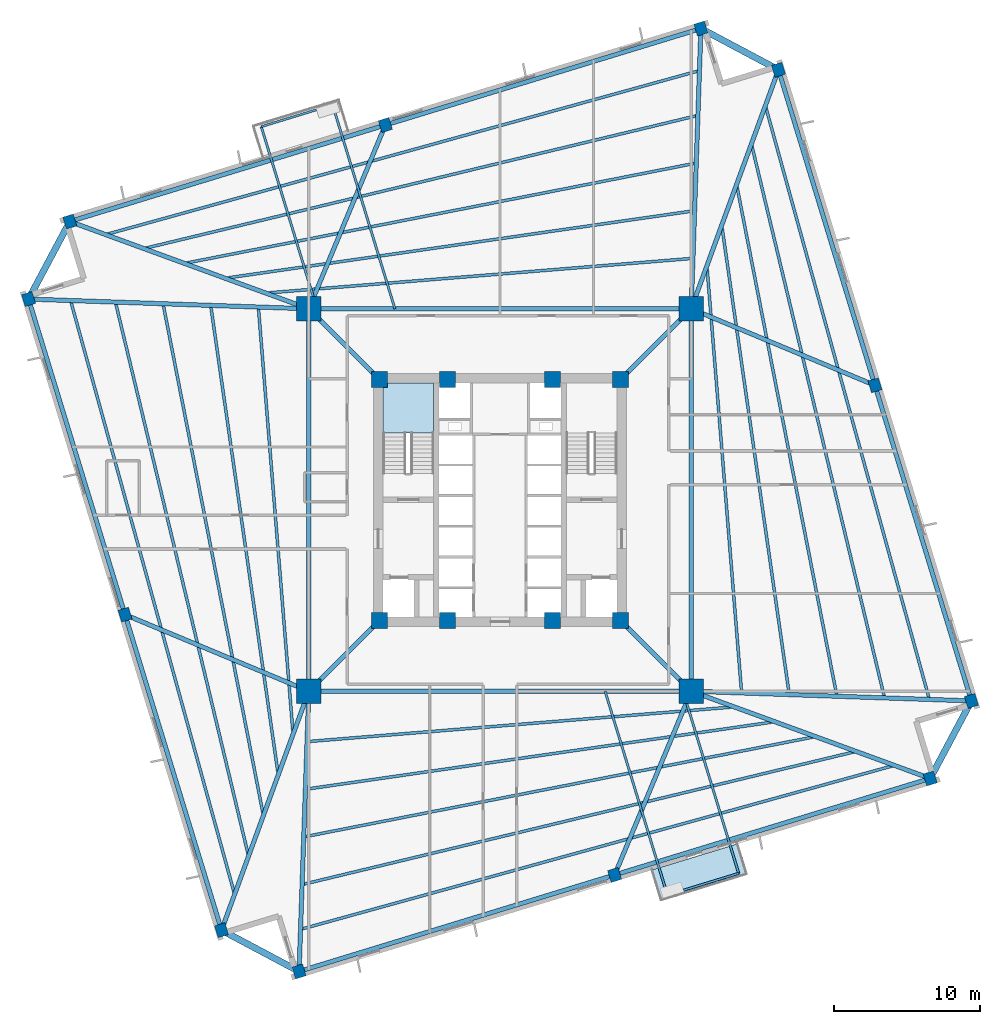
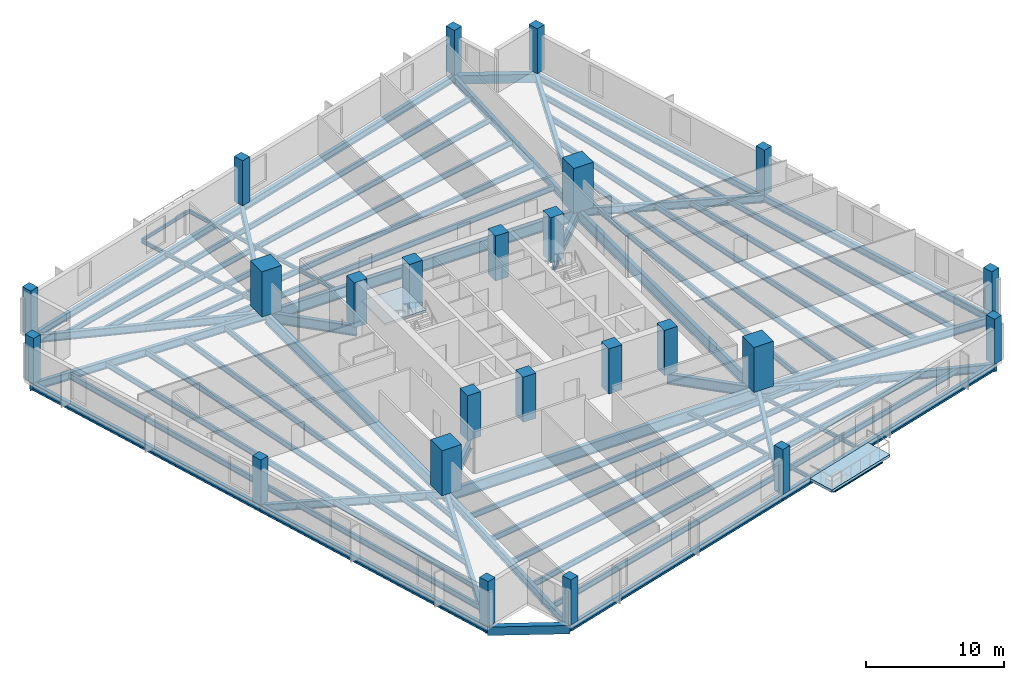
# One storey, part 1 of 8: 58 beams, 24 columns, 2 slabs, 1 element without a shape of its own.
"""IFC4 building model written with IfcOpenShell, lengths in metres."""

from ifc_helpers import new_model, si_unit, direction, frame, origin, origin_2d, place, context, subcontext, project, spatial, polyline, rectangle, i_section, outline, extrude, source, transform, mapped, material, layer, layer_set, material_profile, profile_set, type_object, element, aggregate, save


model = new_model("IFC4")

# Units and contexts
model_context = context("Model", 3, precision=1e-05, world=origin(), true_north=direction((0.0, 1.0)))
body_context = subcontext(model_context, "Body", "Model", "MODEL_VIEW")
ifc_project = project(units=[si_unit("LENGTHUNIT", "METRE"), si_unit("AREAUNIT", "SQUARE_METRE"), si_unit("VOLUMEUNIT", "CUBIC_METRE"), si_unit("PLANEANGLEUNIT", "RADIAN"), si_unit("MASSUNIT", "GRAM", prefix="KILO"), si_unit("THERMODYNAMICTEMPERATUREUNIT", "KELVIN")], contexts=[model_context])

# Site, building, storey
site_placement = place(None, origin())
site = spatial("IfcSite", under=ifc_project, at=site_placement, CompositionType="ELEMENT")
building_placement = place(site_placement, origin())
building = spatial("IfcBuilding", under=site, at=building_placement, Name="Kosmvard Interchange Tower", CompositionType="ELEMENT")
storey_placement = place(building_placement, frame((0.0, 0.0, 123.199951171875)))
storey = spatial("IfcBuildingStorey", under=building, at=storey_placement, Name="L29", CompositionType="ELEMENT", Elevation=123.199951171875)

# Columns
ifc_material_1 = material(Name="Concrete C80/95", Category="concrete")
ifc_material_profile_1 = material_profile(ifc_material_1, rectangle(XDim=1.10009765625, YDim=1.10009765625, at=origin_2d()), Name="CP 1100x1100")
ifc_profile_set_1 = profile_set([ifc_material_profile_1], Name="Concrete C80/95")
column_type_1 = type_object("IfcColumnType", Name="Core Boundary Pilaster 1100x1100 C80/95", PredefinedType="PILASTER", material=ifc_profile_set_1)
shared_shape_1 = source(origin(), body_context, "Body", "SweptSolid", [
    extrude(rectangle(XDim=1.10009765625, YDim=1.10009765625, at=origin_2d()), origin(), (0.0, 0.0, 1.0), 4.0),
])
for number, where, z_axis, x_axis, name in (
    (1, (-8.25, -8.25, 0.0), (0.0, 0.0, 1.0), (1.0, 0.0, 0.0), "L29 Core Pilaster CP1"),
    (2, (8.25, -8.25, 0.0), (0.0, 0.0, 1.0), (1.0, 0.0, 0.0), "L29 Core Pilaster CP2"),
    (3, (8.25, 8.25, 0.0), (0.0, 0.0, 1.0), (1.0, 0.0, 0.0), "L29 Core Pilaster CP3"),
    (4, (-8.25, 8.25, 0.0), (0.0, 0.0, 1.0), (1.0, 0.0, 0.0), "L29 Core Pilaster CP4"),
    (5, (-3.60009765625, -8.25, 0.0), (0.0, 0.0, 1.0), (1.0, 0.0, 0.0), "L29 Core Pilaster CP5"),
    (6, (3.60009765625, -8.25, 0.0), (0.0, 0.0, 1.0), (1.0, 0.0, 0.0), "L29 Core Pilaster CP6"),
    (7, (-3.60009765625, 8.25, 0.0), (0.0, 0.0, 1.0), (1.0, 0.0, 0.0), "L29 Core Pilaster CP7"),
    (8, (3.60009765625, 8.25, 0.0), (0.0, 0.0, 1.0), (1.0, 0.0, 0.0), "L29 Core Pilaster CP8"),
):
    element("IfcColumn", number, at=place(storey_placement, frame(where, z_axis=z_axis, x_axis=x_axis)), inside=storey, type_object=column_type_1, Name=name, PredefinedType="PILASTER", context=body_context, shape_type="MappedRepresentation", body=[
        mapped(shared_shape_1, transform((0.0, 0.0, 0.0), scale=1.0)),
    ])
ifc_material_2 = material(Name="Concrete C70/85", Category="concrete")
ifc_material_profile_2 = material_profile(ifc_material_2, rectangle(XDim=1.64990234375, YDim=1.64990234375, at=origin_2d()), Name="MC 1650x1650")
ifc_profile_set_2 = profile_set([ifc_material_profile_2], Name="Concrete C70/85")
column_type_2 = type_object("IfcColumnType", Name="Composite Mega-Column 1650x1650 C70/85", PredefinedType="COLUMN", material=ifc_profile_set_2)
shared_shape_2 = source(origin(), body_context, "Body", "SweptSolid", [
    extrude(rectangle(XDim=1.64990234375, YDim=1.64990234375, at=origin_2d()), origin(), (0.0, 0.0, 1.0), 4.0),
])
for number, where, z_axis, x_axis, name in (
    (9, (-13.0810546875, -13.0810546875, 0.0), (0.0, 0.0, 1.0), (1.0, 0.0, 0.0), "L29 Corner Mega-Column MC1"),
    (10, (13.0810546875, -13.0810546875, 0.0), (0.0, 0.0, 1.0), (1.0, 0.0, 0.0), "L29 Corner Mega-Column MC2"),
    (11, (13.0810546875, 13.0810546875, 0.0), (0.0, 0.0, 1.0), (1.0, 0.0, 0.0), "L29 Corner Mega-Column MC3"),
    (12, (-13.0810546875, 13.0810546875, 0.0), (0.0, 0.0, 1.0), (1.0, 0.0, 0.0), "L29 Corner Mega-Column MC4"),
):
    element("IfcColumn", number, at=place(storey_placement, frame(where, z_axis=z_axis, x_axis=x_axis)), inside=storey, type_object=column_type_2, Name=name, PredefinedType="COLUMN", context=body_context, shape_type="MappedRepresentation", body=[
        mapped(shared_shape_2, transform((0.0, 0.0, 0.0), scale=1.0)),
    ])
ifc_material_3 = material(Name="Concrete C60/75", Category="concrete")
ifc_material_profile_3 = material_profile(ifc_material_3, rectangle(XDim=0.75, YDim=0.85009765625, at=origin_2d()), Name="TC 850x750")
ifc_profile_set_3 = profile_set([ifc_material_profile_3], Name="Concrete C60/75")
column_type_3 = type_object("IfcColumnType", Name="Zone 2 Perimeter Pier Column 850x750 C60/75", PredefinedType="COLUMN", material=ifc_profile_set_3)
shared_shape_3 = source(origin(), body_context, "Body", "SweptSolid", [
    extrude(rectangle(XDim=0.75, YDim=0.85009765625, at=origin_2d()), origin(), (0.0, 0.0, 1.0), 4.0),
])
for number, where, z_axis, x_axis, name in (
    (13, (-13.74560546875, -32.253173828125, 0.0), (0.0, 0.0, 1.0), (0.956304755963, 0.292371704723, 0.0), "L29 Perimeter Pier Column TC-S1"),
    (14, (7.8427734375, -25.65283203125, 0.0), (0.0, 0.0, 1.0), (0.956304755963, 0.292371704723, 0.0), "L29 Perimeter Pier Column TC-S2"),
    (15, (29.431396484375, -19.052490234375, 0.0), (0.0, 0.0, 1.0), (0.956304755963, 0.292371704723, 0.0), "L29 Perimeter Pier Column TC-S3"),
    (16, (32.253173828125, -13.74560546875, 0.0), (0.0, 0.0, 1.0), (0.956304755963, 0.292371704723, 0.0), "L29 Perimeter Pier Column TC-E1"),
    (17, (25.65283203125, 7.8427734375, 0.0), (0.0, 0.0, 1.0), (0.956304755963, 0.292371704723, 0.0), "L29 Perimeter Pier Column TC-E2"),
    (18, (19.052490234375, 29.431396484375, 0.0), (0.0, 0.0, 1.0), (0.956304755963, 0.292371704723, 0.0), "L29 Perimeter Pier Column TC-E3"),
    (19, (13.74560546875, 32.253173828125, 0.0), (0.0, 0.0, 1.0), (0.956304755963, 0.292371704723, 0.0), "L29 Perimeter Pier Column TC-N1"),
    (20, (-7.8427734375, 25.65283203125, 0.0), (0.0, 0.0, 1.0), (0.956304755963, 0.292371704723, 0.0), "L29 Perimeter Pier Column TC-N2"),
    (21, (-29.431396484375, 19.052490234375, 0.0), (0.0, 0.0, 1.0), (0.956304755963, 0.292371704723, 0.0), "L29 Perimeter Pier Column TC-N3"),
    (22, (-32.253173828125, 13.74560546875, 0.0), (0.0, 0.0, 1.0), (0.956304755963, 0.292371704723, 0.0), "L29 Perimeter Pier Column TC-W1"),
    (23, (-25.65283203125, -7.8427734375, 0.0), (0.0, 0.0, 1.0), (0.956304755963, 0.292371704723, 0.0), "L29 Perimeter Pier Column TC-W2"),
    (24, (-19.052490234375, -29.431396484375, 0.0), (0.0, 0.0, 1.0), (0.956304755963, 0.292371704723, 0.0), "L29 Perimeter Pier Column TC-W3"),
):
    element("IfcColumn", number, at=place(storey_placement, frame(where, z_axis=z_axis, x_axis=x_axis)), inside=storey, type_object=column_type_3, Name=name, PredefinedType="COLUMN", context=body_context, shape_type="MappedRepresentation", body=[
        mapped(shared_shape_3, transform((0.0, 0.0, 0.0), scale=1.0)),
    ])

# Beams
ifc_material_4 = material(Name="Steel S460", Category="steel")
ifc_material_profile_4 = material_profile(ifc_material_4, i_section(OverallWidth=0.30810546875, OverallDepth=0.909912109375, WebThickness=0.02099609375, FlangeThickness=0.0400390625, FilletRadius=0.027099609375, at=origin_2d()), Name="HEM 900")
ifc_profile_set_4 = profile_set([ifc_material_profile_4], Name="Steel S460")
beam_type_1 = type_object("IfcBeamType", Name="Primary Mega-Frame Girder HEM 900 S460", PredefinedType="BEAM", material=ifc_profile_set_4)
shared_shape_4 = source(origin(), body_context, "Body", "SweptSolid", [
    extrude(i_section(OverallWidth=0.30810546875, OverallDepth=0.909912109375, WebThickness=0.02099609375, FlangeThickness=0.0400390625, FilletRadius=0.027099609375, at=origin_2d()), origin(), (0.0, 0.0, 1.0), 6.83203125),
])
for number, where, z_axis, x_axis, name in (
    (25, (-8.25, -8.25, -0.71484375), (-0.707106781187, -0.707106781187, 0.0), (0.707106781187, -0.707106781187, 0.0), "L29 Radial Mega-Frame Girder 1"),
    (26, (8.25, -8.25, -0.71484375), (0.707106781187, -0.707106781187, 0.0), (0.707106781187, 0.707106781187, 0.0), "L29 Radial Mega-Frame Girder 2"),
    (27, (8.25, 8.25, -0.71484375), (0.707106781187, 0.707106781187, 0.0), (-0.707106781187, 0.707106781187, 0.0), "L29 Radial Mega-Frame Girder 3"),
    (28, (-8.25, 8.25, -0.71484375), (-0.707106781187, 0.707106781187, 0.0), (-0.707106781187, -0.707106781187, 0.0), "L29 Radial Mega-Frame Girder 4"),
):
    element("IfcBeam", number, at=place(storey_placement, frame(where, z_axis=z_axis, x_axis=x_axis)), inside=storey, type_object=beam_type_1, Name=name, PredefinedType="BEAM", context=body_context, shape_type="MappedRepresentation", body=[
        mapped(shared_shape_4, transform((0.0, 0.0, 0.0), scale=1.0)),
    ])
ifc_material_profile_5 = material_profile(ifc_material_4, i_section(OverallWidth=0.30908203125, OverallDepth=1.008056640625, WebThickness=0.02099609375, FlangeThickness=0.0400390625, FilletRadius=0.030029296875, at=origin_2d()), Name="HEM 1000")
ifc_profile_set_5 = profile_set([ifc_material_profile_5], Name="Steel S460")
beam_type_2 = type_object("IfcBeamType", Name="Mega-Column Ring Girder HEM 1000 S460", PredefinedType="BEAM", material=ifc_profile_set_5)
shared_shape_5 = source(origin(), body_context, "Body", "SweptSolid", [
    extrude(i_section(OverallWidth=0.30908203125, OverallDepth=1.008056640625, WebThickness=0.02099609375, FlangeThickness=0.0400390625, FilletRadius=0.030029296875, at=origin_2d()), origin(), (0.0, 0.0, 1.0), 26.162109375),
])
for number, where, z_axis, x_axis, name in (
    (29, (-13.0810546875, -13.0810546875, -0.763916015625), (1.0, 0.0, 0.0), (0.0, 1.0, 0.0), "L29 Mega-Column Ring Girder 1"),
    (30, (13.0810546875, -13.0810546875, -0.763916015625), (0.0, 1.0, 0.0), (-1.0, 0.0, 0.0), "L29 Mega-Column Ring Girder 2"),
    (31, (13.0810546875, 13.0810546875, -0.763916015625), (-1.0, 0.0, 0.0), (0.0, -1.0, 0.0), "L29 Mega-Column Ring Girder 3"),
    (32, (-13.0810546875, 13.0810546875, -0.763916015625), (0.0, -1.0, 0.0), (1.0, 0.0, 0.0), "L29 Mega-Column Ring Girder 4"),
):
    element("IfcBeam", number, at=place(storey_placement, frame(where, z_axis=z_axis, x_axis=x_axis)), inside=storey, type_object=beam_type_2, Name=name, PredefinedType="BEAM", context=body_context, shape_type="MappedRepresentation", body=[
        mapped(shared_shape_5, transform((0.0, 0.0, 0.0), scale=1.0)),
    ])
ifc_material_5 = material(Name="Steel S355", Category="steel")
ifc_material_profile_6 = material_profile(ifc_material_5, i_section(OverallWidth=0.14990234375, OverallDepth=0.300048828125, WebThickness=0.007080078125, FlangeThickness=0.0107421875, FilletRadius=0.014892578125, at=origin_2d()), Name="IPE 300")
ifc_profile_set_6 = profile_set([ifc_material_profile_6], Name="Steel S355")
beam_type_3 = type_object("IfcBeamType", Name="Balcony Edge Header Joist IPE 300 S355", PredefinedType="JOIST", material=ifc_profile_set_6)
shared_shape_6 = source(origin(), body_context, "Body", "SweptSolid", [
    extrude(i_section(OverallWidth=0.14990234375, OverallDepth=0.300048828125, WebThickness=0.007080078125, FlangeThickness=0.0107421875, FilletRadius=0.014892578125, at=origin_2d()), origin(), (0.0, 0.0, 1.0), 5.099853515625),
])
for number, where, z_axis, x_axis, name in (
    (33, (-11.4541015625, 27.032470703125, -0.409912109375), (-0.956295066015, -0.292403397238, 0.0), (0.292403397238, -0.956295066015, 0.0), "BM-L29-BJH1"),
    (34, (11.4541015625, -27.032470703125, -0.409912109375), (0.956295066015, 0.292403397238, 0.0), (-0.292403397238, 0.956295066015, 0.0), "BM-L29-BJH2"),
):
    element("IfcBeam", number, at=place(storey_placement, frame(where, z_axis=z_axis, x_axis=x_axis)), inside=storey, type_object=beam_type_3, Name=name, PredefinedType="JOIST", context=body_context, shape_type="MappedRepresentation", body=[
        mapped(shared_shape_6, transform((0.0, 0.0, 0.0), scale=1.0)),
    ])
ifc_material_profile_7 = material_profile(ifc_material_5, i_section(OverallWidth=0.300048828125, OverallDepth=0.60009765625, WebThickness=0.015380859375, FlangeThickness=0.030029296875, FilletRadius=0.027099609375, at=origin_2d()), Name="HEB 600")
ifc_profile_set_7 = profile_set([ifc_material_profile_7], Name="Steel S355")
beam_type_4 = type_object("IfcBeamType", Name="Perimeter Tie Girder HEB 600 S355", PredefinedType="BEAM", material=ifc_profile_set_7)
shared_shape_7 = source(origin(), body_context, "Body", "SweptSolid", [
    extrude(i_section(OverallWidth=0.300048828125, OverallDepth=0.60009765625, WebThickness=0.015380859375, FlangeThickness=0.030029296875, FilletRadius=0.027099609375, at=origin_2d()), origin(), (0.0, 0.0, 1.0), 22.57470703125),
])
for number, where, z_axis, x_axis, name in (
    (35, (-13.74560546875, -32.253173828125, -0.56005859375), (0.956303368768, 0.292376241995, 0.0), (-0.292376241995, 0.956303368768, 0.0), "BM-L29-PR01"),
    (36, (32.253173828125, -13.74560546875, -0.56005859375), (-0.292376241995, 0.956303368768, 0.0), (-0.956303368768, -0.292376241995, 0.0), "BM-L29-PR04"),
    (37, (13.74560546875, 32.253173828125, -0.56005859375), (-0.956303368768, -0.292376241995, 0.0), (0.292376241995, -0.956303368768, 0.0), "BM-L29-PR07"),
    (38, (-32.253173828125, 13.74560546875, -0.56005859375), (0.292376241995, -0.956303368768, 0.0), (0.956303368768, 0.292376241995, 0.0), "BM-L29-PR10"),
):
    element("IfcBeam", number, at=place(storey_placement, frame(where, z_axis=z_axis, x_axis=x_axis)), inside=storey, type_object=beam_type_4, Name=name, PredefinedType="BEAM", context=body_context, shape_type="MappedRepresentation", body=[
        mapped(shared_shape_7, transform((0.0, 0.0, 0.0), scale=1.0)),
    ])
ifc_material_profile_8 = material_profile(ifc_material_5, i_section(OverallWidth=0.300048828125, OverallDepth=0.699951171875, WebThickness=0.01708984375, FlangeThickness=0.031982421875, FilletRadius=0.027099609375, at=origin_2d()), Name="HEB 700")
ifc_profile_set_8 = profile_set([ifc_material_profile_8], Name="Steel S355")
beam_type_5 = type_object("IfcBeamType", Name="Primary Floor Girder HEB 700 S355", PredefinedType="BEAM", material=ifc_profile_set_8)
shared_shape_8 = source(origin(), body_context, "Body", "SweptSolid", [
    extrude(i_section(OverallWidth=0.300048828125, OverallDepth=0.699951171875, WebThickness=0.01708984375, FlangeThickness=0.031982421875, FilletRadius=0.027099609375, at=origin_2d()), origin(), (0.0, 0.0, 1.0), 19.18359375),
])
for number, where, z_axis, x_axis, name in (
    (39, (-13.0810546875, -13.0810546875, -0.60986328125), (-0.034641549738, -0.999399801397, 0.0), (0.999399801397, -0.034641549738, 0.0), "BM-L29-RD01"),
    (40, (13.0810546875, -13.0810546875, -0.60986328125), (0.999399801397, -0.034641549738, 0.0), (0.034641549738, 0.999399801397, 0.0), "BM-L29-RD04"),
    (41, (13.0810546875, 13.0810546875, -0.60986328125), (0.034641549738, 0.999399801397, 0.0), (-0.999399801397, 0.034641549738, 0.0), "BM-L29-RD07"),
    (42, (-13.0810546875, 13.0810546875, -0.60986328125), (-0.999399801397, 0.034641549738, 0.0), (-0.034641549738, -0.999399801397, 0.0), "BM-L29-RD10"),
):
    element("IfcBeam", number, at=place(storey_placement, frame(where, z_axis=z_axis, x_axis=x_axis)), inside=storey, type_object=beam_type_5, Name=name, PredefinedType="BEAM", context=body_context, shape_type="MappedRepresentation", body=[
        mapped(shared_shape_8, transform((0.0, 0.0, 0.0), scale=1.0)),
    ])
shared_shape_9 = source(origin(), body_context, "Body", "SweptSolid", [
    extrude(i_section(OverallWidth=0.300048828125, OverallDepth=0.60009765625, WebThickness=0.015380859375, FlangeThickness=0.030029296875, FilletRadius=0.027099609375, at=origin_2d()), origin(), (0.0, 0.0, 1.0), 22.574951171875),
])
for number, where, z_axis, x_axis, name in (
    (43, (7.8427734375, -25.65283203125, -0.56005859375), (0.956304293239, 0.292373218222, 0.0), (-0.292373218222, 0.956304293239, 0.0), "BM-L29-PR02"),
    (44, (25.65283203125, 7.8427734375, -0.56005859375), (-0.292373218222, 0.956304293239, 0.0), (-0.956304293239, -0.292373218222, 0.0), "BM-L29-PR05"),
    (45, (-7.8427734375, 25.65283203125, -0.56005859375), (-0.956304293239, -0.292373218222, 0.0), (0.292373218222, -0.956304293239, 0.0), "BM-L29-PR08"),
    (46, (-25.65283203125, -7.8427734375, -0.56005859375), (0.292373218222, -0.956304293239, 0.0), (0.956304293239, 0.292373218222, 0.0), "BM-L29-PR11"),
):
    element("IfcBeam", number, at=place(storey_placement, frame(where, z_axis=z_axis, x_axis=x_axis)), inside=storey, type_object=beam_type_4, Name=name, PredefinedType="BEAM", context=body_context, shape_type="MappedRepresentation", body=[
        mapped(shared_shape_9, transform((0.0, 0.0, 0.0), scale=1.0)),
    ])
shared_shape_10 = source(origin(), body_context, "Body", "SweptSolid", [
    extrude(i_section(OverallWidth=0.300048828125, OverallDepth=0.699951171875, WebThickness=0.01708984375, FlangeThickness=0.031982421875, FilletRadius=0.027099609375, at=origin_2d()), origin(), (0.0, 0.0, 1.0), 13.619384765625),
])
for number, where, z_axis, x_axis, name in (
    (47, (13.0810546875, -13.0810546875, -0.60986328125), (-0.384617930303, -0.92307586237, 0.0), (0.92307586237, -0.384617930303, 0.0), "BM-L29-RD02"),
    (48, (13.0810546875, 13.0810546875, -0.60986328125), (0.92307586237, -0.384617930303, 0.0), (0.384617930303, 0.92307586237, 0.0), "BM-L29-RD05"),
    (49, (-13.0810546875, 13.0810546875, -0.60986328125), (0.384617930303, 0.92307586237, 0.0), (-0.92307586237, 0.384617930303, 0.0), "BM-L29-RD08"),
    (50, (-13.0810546875, -13.0810546875, -0.60986328125), (-0.92307586237, 0.384617930303, 0.0), (-0.384617930303, -0.92307586237, 0.0), "BM-L29-RD11"),
):
    element("IfcBeam", number, at=place(storey_placement, frame(where, z_axis=z_axis, x_axis=x_axis)), inside=storey, type_object=beam_type_5, Name=name, PredefinedType="BEAM", context=body_context, shape_type="MappedRepresentation", body=[
        mapped(shared_shape_10, transform((0.0, 0.0, 0.0), scale=1.0)),
    ])
ifc_material_6 = material(Name="Precast concrete C45/55", Category="concrete")
ifc_material_profile_9 = material_profile(ifc_material_6, rectangle(XDim=0.449951171875, YDim=0.75, at=origin_2d()), Name="SL 450x750")
ifc_profile_set_9 = profile_set([ifc_material_profile_9], Name="Precast concrete C45/55")
beam_type_6 = type_object("IfcBeamType", Name="Precast Spandrel Lintel 450x750 C45/55", PredefinedType="LINTEL", material=ifc_profile_set_9)
shared_shape_11 = source(origin(), body_context, "Body", "SweptSolid", [
    extrude(rectangle(XDim=0.449951171875, YDim=0.75, at=origin_2d()), origin(), (0.0, 0.0, 1.0), 6.010498046875),
])
for number, where, z_axis, x_axis, name in (
    (51, (29.431396484375, -19.052490234375, -0.635009765625), (0.469478912111, 0.882943685114, 0.0), (-0.882943685114, 0.469478912111, 0.0), "BM-L29-SL1"),
    (52, (19.052490234375, 29.431396484375, -0.635009765625), (-0.882943685114, 0.469478912111, 0.0), (-0.469478912111, -0.882943685114, 0.0), "BM-L29-SL2"),
    (53, (-29.431396484375, 19.052490234375, -0.635009765625), (-0.469478912111, -0.882943685114, 0.0), (0.882943685114, -0.469478912111, 0.0), "BM-L29-SL3"),
    (54, (-19.052490234375, -29.431396484375, -0.635009765625), (0.882943685114, -0.469478912111, 0.0), (0.469478912111, 0.882943685114, 0.0), "BM-L29-SL4"),
):
    element("IfcBeam", number, at=place(storey_placement, frame(where, z_axis=z_axis, x_axis=x_axis)), inside=storey, type_object=beam_type_6, Name=name, PredefinedType="LINTEL", context=body_context, shape_type="MappedRepresentation", body=[
        mapped(shared_shape_11, transform((0.0, 0.0, 0.0), scale=1.0)),
    ])
shared_shape_12 = source(origin(), body_context, "Body", "SweptSolid", [
    extrude(i_section(OverallWidth=0.300048828125, OverallDepth=0.699951171875, WebThickness=0.01708984375, FlangeThickness=0.031982421875, FilletRadius=0.027099609375, at=origin_2d()), origin(), (0.0, 0.0, 1.0), 17.40673828125),
])
for number, where, z_axis, x_axis, name in (
    (55, (13.0810546875, -13.0810546875, -0.60986328125), (0.939315429031, -0.343054696491, 0.0), (0.343054696491, 0.939315429031, 0.0), "BM-L29-RD03"),
    (56, (13.0810546875, 13.0810546875, -0.60986328125), (0.343054696491, 0.939315429031, 0.0), (-0.939315429031, 0.343054696491, 0.0), "BM-L29-RD06"),
    (57, (-13.0810546875, 13.0810546875, -0.60986328125), (-0.939315429031, 0.343054696491, 0.0), (-0.343054696491, -0.939315429031, 0.0), "BM-L29-RD09"),
    (58, (-13.0810546875, -13.0810546875, -0.60986328125), (-0.343054696491, -0.939315429031, 0.0), (0.939315429031, -0.343054696491, 0.0), "BM-L29-RD12"),
):
    element("IfcBeam", number, at=place(storey_placement, frame(where, z_axis=z_axis, x_axis=x_axis)), inside=storey, type_object=beam_type_5, Name=name, PredefinedType="BEAM", context=body_context, shape_type="MappedRepresentation", body=[
        mapped(shared_shape_12, transform((0.0, 0.0, 0.0), scale=1.0)),
    ])
ifc_material_profile_10 = material_profile(ifc_material_5, i_section(OverallWidth=0.199951171875, OverallDepth=0.5, WebThickness=0.01025390625, FlangeThickness=0.01611328125, FilletRadius=0.02099609375, at=origin_2d()), Name="IPE 500")
ifc_profile_set_10 = profile_set([ifc_material_profile_10], Name="Steel S355")
beam_type_7 = type_object("IfcBeamType", Name="Standard Floor Joist IPE 500 S355", PredefinedType="JOIST", material=ifc_profile_set_10)
shared_shape_13 = source(origin(), body_context, "Body", "SweptSolid", [
    extrude(i_section(OverallWidth=0.199951171875, OverallDepth=0.5, WebThickness=0.01025390625, FlangeThickness=0.01611328125, FilletRadius=0.02099609375, at=origin_2d()), origin(), (0.0, 0.0, 1.0), 29.1611328125),
])
for number, where, z_axis, x_axis, name in (
    (59, (-13.120849609375, -16.525390625, -0.510009765625), (0.99671134435, 0.081033919093, 0.0), (-0.081033919093, 0.99671134435, 0.0), "BM-L29-FJ01"),
    (60, (16.525390625, -13.120849609375, -0.510009765625), (-0.081033919093, 0.99671134435, 0.0), (-0.99671134435, -0.081033919093, 0.0), "BM-L29-FJ06"),
    (61, (13.120849609375, 16.525390625, -0.510009765625), (-0.99671134435, -0.081033919093, 0.0), (0.081033919093, -0.99671134435, 0.0), "BM-L29-FJ11"),
    (62, (-16.525390625, 13.120849609375, -0.510009765625), (0.081033919093, -0.99671134435, 0.0), (0.99671134435, 0.081033919093, 0.0), "BM-L29-FJ16"),
):
    element("IfcBeam", number, at=place(storey_placement, frame(where, z_axis=z_axis, x_axis=x_axis)), inside=storey, type_object=beam_type_7, Name=name, PredefinedType="JOIST", context=body_context, shape_type="MappedRepresentation", body=[
        mapped(shared_shape_13, transform((0.0, 0.0, 0.0), scale=1.0)),
    ])
shared_shape_14 = source(origin(), body_context, "Body", "SweptSolid", [
    extrude(i_section(OverallWidth=0.199951171875, OverallDepth=0.5, WebThickness=0.01025390625, FlangeThickness=0.01611328125, FilletRadius=0.02099609375, at=origin_2d()), origin(), (0.0, 0.0, 1.0), 32.287841796875),
])
for number, where, z_axis, x_axis, name in (
    (63, (-13.234375, -19.77978515625, -0.510009765625), (0.989810798314, 0.142388846268, 0.0), (-0.142388846268, 0.989810798314, 0.0), "BM-L29-FJ02"),
    (64, (19.77978515625, -13.234375, -0.510009765625), (-0.142388846268, 0.989810798314, 0.0), (-0.989810798314, -0.142388846268, 0.0), "BM-L29-FJ07"),
    (65, (13.234375, 19.77978515625, -0.510009765625), (-0.989810798314, -0.142388846268, 0.0), (0.142388846268, -0.989810798314, 0.0), "BM-L29-FJ12"),
    (66, (-19.77978515625, 13.234375, -0.510009765625), (0.142388846268, -0.989810798314, 0.0), (0.989810798314, 0.142388846268, 0.0), "BM-L29-FJ17"),
):
    element("IfcBeam", number, at=place(storey_placement, frame(where, z_axis=z_axis, x_axis=x_axis)), inside=storey, type_object=beam_type_7, Name=name, PredefinedType="JOIST", context=body_context, shape_type="MappedRepresentation", body=[
        mapped(shared_shape_14, transform((0.0, 0.0, 0.0), scale=1.0)),
    ])
shared_shape_15 = source(origin(), body_context, "Body", "SweptSolid", [
    extrude(i_section(OverallWidth=0.199951171875, OverallDepth=0.5, WebThickness=0.01025390625, FlangeThickness=0.01611328125, FilletRadius=0.02099609375, at=origin_2d()), origin(), (0.0, 0.0, 1.0), 35.516357421875),
])
for number, where, z_axis, x_axis, name in (
    (67, (-13.34814453125, -23.03515625, -0.510009765625), (0.981315785618, 0.192404077134, 0.0), (-0.192404077134, 0.981315785618, 0.0), "BM-L29-FJ03"),
    (68, (23.03515625, -13.34814453125, -0.510009765625), (-0.192404077134, 0.981315785618, 0.0), (-0.981315785618, -0.192404077134, 0.0), "BM-L29-FJ08"),
    (69, (13.34814453125, 23.03515625, -0.510009765625), (-0.981315785618, -0.192404077134, 0.0), (0.192404077134, -0.981315785618, 0.0), "BM-L29-FJ13"),
    (70, (-23.03515625, 13.34814453125, -0.510009765625), (0.192404077134, -0.981315785618, 0.0), (0.981315785618, 0.192404077134, 0.0), "BM-L29-FJ18"),
):
    element("IfcBeam", number, at=place(storey_placement, frame(where, z_axis=z_axis, x_axis=x_axis)), inside=storey, type_object=beam_type_7, Name=name, PredefinedType="JOIST", context=body_context, shape_type="MappedRepresentation", body=[
        mapped(shared_shape_15, transform((0.0, 0.0, 0.0), scale=1.0)),
    ])
shared_shape_16 = source(origin(), body_context, "Body", "SweptSolid", [
    extrude(i_section(OverallWidth=0.199951171875, OverallDepth=0.5, WebThickness=0.01025390625, FlangeThickness=0.01611328125, FilletRadius=0.02099609375, at=origin_2d()), origin(), (0.0, 0.0, 1.0), 38.821533203125),
])
for number, where, z_axis, x_axis, name in (
    (71, (-13.4619140625, -26.291015625, -0.510009765625), (0.972318244358, 0.233660505198, 0.0), (-0.233660505198, 0.972318244358, 0.0), "BM-L29-FJ04"),
    (72, (26.291015625, -13.4619140625, -0.510009765625), (-0.233660505198, 0.972318244358, 0.0), (-0.972318244358, -0.233660505198, 0.0), "BM-L29-FJ09"),
    (73, (13.4619140625, 26.291015625, -0.510009765625), (-0.972318244358, -0.233660505198, 0.0), (0.233660505198, -0.972318244358, 0.0), "BM-L29-FJ14"),
    (74, (-26.291015625, 13.4619140625, -0.510009765625), (0.233660505198, -0.972318244358, 0.0), (0.972318244358, 0.233660505198, 0.0), "BM-L29-FJ19"),
):
    element("IfcBeam", number, at=place(storey_placement, frame(where, z_axis=z_axis, x_axis=x_axis)), inside=storey, type_object=beam_type_7, Name=name, PredefinedType="JOIST", context=body_context, shape_type="MappedRepresentation", body=[
        mapped(shared_shape_16, transform((0.0, 0.0, 0.0), scale=1.0)),
    ])
shared_shape_17 = source(origin(), body_context, "Body", "SweptSolid", [
    extrude(i_section(OverallWidth=0.199951171875, OverallDepth=0.5, WebThickness=0.01025390625, FlangeThickness=0.01611328125, FilletRadius=0.02099609375, at=origin_2d()), origin(), (0.0, 0.0, 1.0), 41.98583984375),
])
for number, where, z_axis, x_axis, name in (
    (75, (-13.56884765625, -29.35595703125, -0.510009765625), (0.96391074105, 0.266225624778, 0.0), (-0.266225624778, 0.96391074105, 0.0), "BM-L29-FJ05"),
    (76, (29.35595703125, -13.56884765625, -0.510009765625), (-0.266225624778, 0.96391074105, 0.0), (-0.96391074105, -0.266225624778, 0.0), "BM-L29-FJ10"),
    (77, (13.56884765625, 29.35595703125, -0.510009765625), (-0.96391074105, -0.266225624778, 0.0), (0.266225624778, -0.96391074105, 0.0), "BM-L29-FJ15"),
    (78, (-29.35595703125, 13.56884765625, -0.510009765625), (0.266225624778, -0.96391074105, 0.0), (0.96391074105, 0.266225624778, 0.0), "BM-L29-FJ20"),
):
    element("IfcBeam", number, at=place(storey_placement, frame(where, z_axis=z_axis, x_axis=x_axis)), inside=storey, type_object=beam_type_7, Name=name, PredefinedType="JOIST", context=body_context, shape_type="MappedRepresentation", body=[
        mapped(shared_shape_17, transform((0.0, 0.0, 0.0), scale=1.0)),
    ])
ifc_material_profile_11 = material_profile(ifc_material_5, i_section(OverallWidth=0.159912109375, OverallDepth=0.330078125, WebThickness=0.007568359375, FlangeThickness=0.011474609375, FilletRadius=0.01806640625, at=origin_2d()), Name="IPE 330")
ifc_profile_set_11 = profile_set([ifc_material_profile_11], Name="Steel S355")
beam_type_8 = type_object("IfcBeamType", Name="Balcony Cantilever Joist IPE 330 S355", PredefinedType="JOIST", material=ifc_profile_set_11)
shared_shape_18 = source(origin(), body_context, "Body", "SweptSolid", [
    extrude(i_section(OverallWidth=0.159912109375, OverallDepth=0.330078125, WebThickness=0.007568359375, FlangeThickness=0.011474609375, FilletRadius=0.01806640625, at=origin_2d()), origin(), (0.0, 0.0, 1.0), 14.5888671875),
])
for number, where, z_axis, x_axis, name in (
    (79, (-7.188720703125, 13.0810546875, -0.425048828125), (-0.292372013991, 0.95630466141, 0.0), (-0.95630466141, -0.292372013991, 0.0), "BM-L29-BJ1"),
    (80, (7.188720703125, -13.0810546875, -0.425048828125), (0.292372013991, -0.95630466141, 0.0), (0.95630466141, 0.292372013991, 0.0), "BM-L29-BJ2"),
):
    element("IfcBeam", number, at=place(storey_placement, frame(where, z_axis=z_axis, x_axis=x_axis)), inside=storey, type_object=beam_type_8, Name=name, PredefinedType="JOIST", context=body_context, shape_type="MappedRepresentation", body=[
        mapped(shared_shape_18, transform((0.0, 0.0, 0.0), scale=1.0)),
    ])
shared_shape_19 = source(origin(), body_context, "Body", "SweptSolid", [
    extrude(i_section(OverallWidth=0.159912109375, OverallDepth=0.330078125, WebThickness=0.007568359375, FlangeThickness=0.011474609375, FilletRadius=0.01806640625, at=origin_2d()), origin(), (0.0, 0.0, 1.0), 13.029541015625),
])
for number, where, z_axis, x_axis, name in (
    (81, (-12.521728515625, 13.0810546875, -0.425048828125), (-0.292361820938, 0.956307777684, 0.0), (-0.956307777684, -0.292361820938, 0.0), "BM-L29-BJB1"),
    (82, (12.521728515625, -13.0810546875, -0.425048828125), (0.292361820938, -0.956307777684, 0.0), (0.956307777684, 0.292361820938, 0.0), "BM-L29-BJB2"),
):
    element("IfcBeam", number, at=place(storey_placement, frame(where, z_axis=z_axis, x_axis=x_axis)), inside=storey, type_object=beam_type_8, Name=name, PredefinedType="JOIST", context=body_context, shape_type="MappedRepresentation", body=[
        mapped(shared_shape_19, transform((0.0, 0.0, 0.0), scale=1.0)),
    ])

# Stair, slab
ifc_material_7 = material(Name="Concrete C50/60", Category="concrete")
stair_type = type_object("IfcStairType", Name="Dog-Leg Core Exit Stair H4000 C50/60", PredefinedType="HALF_TURN_STAIR", material=ifc_material_7)
stair_placement = place(storey_placement, origin())
stair = element("IfcStair", 83, at=stair_placement, inside=storey, type_object=stair_type, Name="L29 Protected Exit Stair ST-1", PredefinedType="HALF_TURN_STAIR")
ifc_layer_1 = layer(ifc_material_7, 0.199951171875, Name="Concrete C50/60")
ifc_layer_set_1 = layer_set([ifc_layer_1], Name="Concrete C50/60")
slab_type_1 = type_object("IfcSlabType", Name="Stair Half-Landing Slab 200 C50/60", PredefinedType="LANDING", material=ifc_layer_set_1)
slab_1_placement = place(storey_placement, frame((0.0, 0.0, 1.800048828125)))
slab_1 = element("IfcSlab", 84, at=slab_1_placement, type_object=slab_type_1, Name="ST-1 landing 1", PredefinedType="LANDING", context=body_context, shape_type="SweptSolid", body=[
    extrude(outline(polyline([(-4.5400390625, 4.60009765625), (-4.5400390625, 8.0), (-8.0, 8.0), (-8.0, 4.60009765625), (-4.5400390625, 4.60009765625)])), origin(), (0.0, 0.0, 1.0), 0.199951171875),
])
aggregate(stair, [slab_1])

# Slab
ifc_layer_2 = layer(ifc_material_7, 0.22998046875, Name="Concrete C50/60")
ifc_layer_set_2 = layer_set([ifc_layer_2], Name="Concrete C50/60")
slab_type_2 = type_object("IfcSlabType", Name="Tree-Planter Cantilever Balcony Slab 230 C50/60", PredefinedType="FLOOR", material=ifc_layer_set_2)
slab_2_placement = place(storey_placement, frame((0.0, 0.0, -0.22998046875)))
element("IfcSlab", 85, at=slab_2_placement, inside=storey, type_object=slab_type_2, Name="L29 Outdoor Terrace Balcony Slab BAL-L29-SW", PredefinedType="FLOOR", context=body_context, shape_type="SweptSolid", body=[
    extrude(outline(polyline([(11.001220703125, -27.43212890625), (16.93017578125, -25.61962890625), (16.286865234375, -23.515625), (10.35791015625, -25.328369140625), (11.001220703125, -27.43212890625)])), origin(), (0.0, 0.0, 1.0), 0.22998046875),
])

save(model, "model.ifc")
